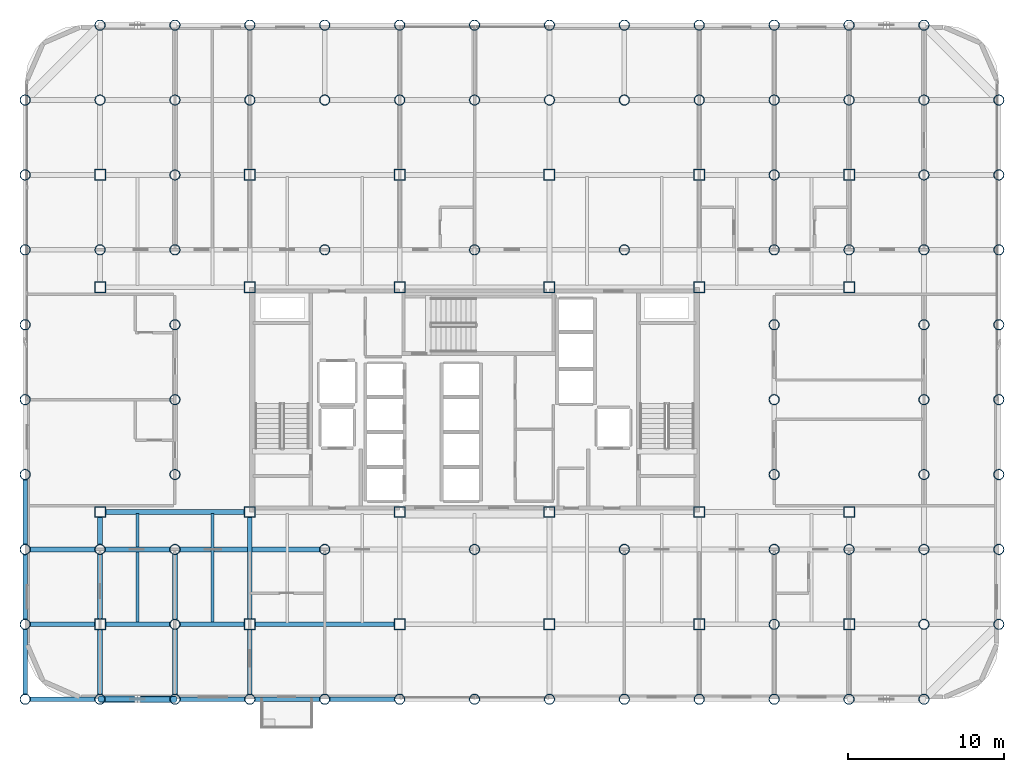
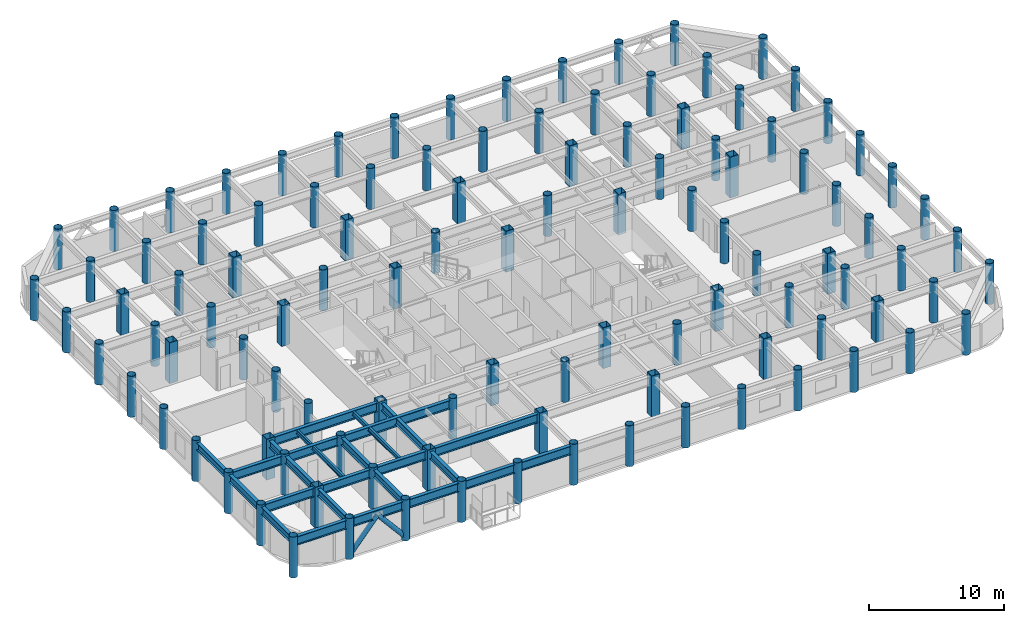
# One storey, part 1 of 22: 108 columns, 25 beams, 2 members.
"""IFC4 building model written with IfcOpenShell, lengths in metres."""

from ifc_helpers import new_model, si_unit, direction, frame, origin, origin_2d, place, context, subcontext, project, spatial, hollow_rectangle, hollow_circle, i_section, extrude, material, material_profile, profile_set, type_object, element, save


model = new_model("IFC4")

# Units and contexts
model_context = context("Model", 3, precision=1e-05, world=origin(), true_north=direction((0.0, 1.0)))
body_context = subcontext(model_context, "Body", "Model", "MODEL_VIEW")
ifc_project = project(units=[si_unit("LENGTHUNIT", "METRE"), si_unit("AREAUNIT", "SQUARE_METRE"), si_unit("VOLUMEUNIT", "CUBIC_METRE"), si_unit("PLANEANGLEUNIT", "RADIAN"), si_unit("MASSUNIT", "GRAM", prefix="KILO")], contexts=[model_context])

# Site, building, storey
site_placement = place(None, origin())
site = spatial("IfcSite", under=ifc_project, at=site_placement, CompositionType="ELEMENT")
building_placement = place(site_placement, origin())
building = spatial("IfcBuilding", under=site, at=building_placement, Name="Kallvorn Hotel Tower", CompositionType="ELEMENT")
storey_placement = place(building_placement, frame((0.0, 0.0, 102.60009765625)))
storey = spatial("IfcBuildingStorey", under=building, at=storey_placement, Name="L24", CompositionType="ELEMENT", Elevation=102.60009765625)

# Columns
ifc_material_1 = material(Name="Structural steel S355J2H", Category="steel")
ifc_material_profile_1 = material_profile(ifc_material_1, hollow_circle(Radius=0.330078125, WallThickness=0.028076171875, at=origin_2d()), Name="CHS 660x28")
ifc_profile_set_1 = profile_set([ifc_material_profile_1], Name="Structural steel S355J2H")
column_type_1 = type_object("IfcColumnType", Name="COL_CHS_660", PredefinedType="COLUMN", material=ifc_profile_set_1)
for number, where, z_axis, x_axis, name in (
    (1, (-28.800048828125, -19.199951171875, 0.0), (0.0, 0.0, 1.0), (1.0, 0.0, 0.0), "L24 Exoskeleton Column EC01"),
    (2, (-28.800048828125, -14.39990234375, 0.0), (0.0, 0.0, 1.0), (1.0, 0.0, 0.0), "L24 Exoskeleton Column EC02"),
    (3, (-28.800048828125, -9.60009765625, 0.0), (0.0, 0.0, 1.0), (1.0, 0.0, 0.0), "L24 Exoskeleton Column EC03"),
    (4, (-28.800048828125, -4.800048828125, 0.0), (0.0, 0.0, 1.0), (1.0, 0.0, 0.0), "L24 Exoskeleton Column EC04"),
    (5, (-28.800048828125, 0.0, 0.0), (0.0, 0.0, 1.0), (1.0, 0.0, 0.0), "L24 Exoskeleton Column EC05"),
    (6, (-28.800048828125, 4.800048828125, 0.0), (0.0, 0.0, 1.0), (1.0, 0.0, 0.0), "L24 Exoskeleton Column EC06"),
    (7, (-28.800048828125, 9.60009765625, 0.0), (0.0, 0.0, 1.0), (1.0, 0.0, 0.0), "L24 Exoskeleton Column EC07"),
    (8, (-28.800048828125, 14.39990234375, 0.0), (0.0, 0.0, 1.0), (1.0, 0.0, 0.0), "L24 Exoskeleton Column EC08"),
    (9, (-28.800048828125, 19.199951171875, 0.0), (0.0, 0.0, 1.0), (1.0, 0.0, 0.0), "L24 Exoskeleton Column EC09"),
    (10, (-24.0, -19.199951171875, 0.0), (0.0, 0.0, 1.0), (1.0, 0.0, 0.0), "L24 Exoskeleton Column EC10"),
    (11, (-24.0, -9.60009765625, 0.0), (0.0, 0.0, 1.0), (1.0, 0.0, 0.0), "L24 Exoskeleton Column EC11"),
    (12, (-24.0, 9.60009765625, 0.0), (0.0, 0.0, 1.0), (1.0, 0.0, 0.0), "L24 Exoskeleton Column EC12"),
    (13, (-24.0, 19.199951171875, 0.0), (0.0, 0.0, 1.0), (1.0, 0.0, 0.0), "L24 Exoskeleton Column EC13"),
    (14, (-24.0, 24.0, 0.0), (0.0, 0.0, 1.0), (1.0, 0.0, 0.0), "L24 Exoskeleton Column EC14"),
    (15, (-19.199951171875, -19.199951171875, 0.0), (0.0, 0.0, 1.0), (1.0, 0.0, 0.0), "L24 Exoskeleton Column EC15"),
    (16, (-19.199951171875, -14.39990234375, 0.0), (0.0, 0.0, 1.0), (1.0, 0.0, 0.0), "L24 Exoskeleton Column EC16"),
    (17, (-19.199951171875, -9.60009765625, 0.0), (0.0, 0.0, 1.0), (1.0, 0.0, 0.0), "L24 Exoskeleton Column EC17"),
    (18, (-19.199951171875, -4.800048828125, 0.0), (0.0, 0.0, 1.0), (1.0, 0.0, 0.0), "L24 Exoskeleton Column EC18"),
    (19, (-19.199951171875, 0.0, 0.0), (0.0, 0.0, 1.0), (1.0, 0.0, 0.0), "L24 Exoskeleton Column EC19"),
    (20, (-19.199951171875, 4.800048828125, 0.0), (0.0, 0.0, 1.0), (1.0, 0.0, 0.0), "L24 Exoskeleton Column EC20"),
    (21, (-19.199951171875, 9.60009765625, 0.0), (0.0, 0.0, 1.0), (1.0, 0.0, 0.0), "L24 Exoskeleton Column EC21"),
    (22, (-19.199951171875, 14.39990234375, 0.0), (0.0, 0.0, 1.0), (1.0, 0.0, 0.0), "L24 Exoskeleton Column EC22"),
    (23, (-19.199951171875, 19.199951171875, 0.0), (0.0, 0.0, 1.0), (1.0, 0.0, 0.0), "L24 Exoskeleton Column EC23"),
    (24, (-19.199951171875, 24.0, 0.0), (0.0, 0.0, 1.0), (1.0, 0.0, 0.0), "L24 Exoskeleton Column EC24"),
    (25, (-14.39990234375, -19.199951171875, 0.0), (0.0, 0.0, 1.0), (1.0, 0.0, 0.0), "L24 Exoskeleton Column EC25"),
    (26, (-14.39990234375, 19.199951171875, 0.0), (0.0, 0.0, 1.0), (1.0, 0.0, 0.0), "L24 Exoskeleton Column EC26"),
    (27, (-14.39990234375, 24.0, 0.0), (0.0, 0.0, 1.0), (1.0, 0.0, 0.0), "L24 Exoskeleton Column EC27"),
    (28, (-9.60009765625, -19.199951171875, 0.0), (0.0, 0.0, 1.0), (1.0, 0.0, 0.0), "L24 Exoskeleton Column EC28"),
    (29, (-9.60009765625, -9.60009765625, 0.0), (0.0, 0.0, 1.0), (1.0, 0.0, 0.0), "L24 Exoskeleton Column EC29"),
    (30, (-9.60009765625, 9.60009765625, 0.0), (0.0, 0.0, 1.0), (1.0, 0.0, 0.0), "L24 Exoskeleton Column EC30"),
    (31, (-9.60009765625, 19.199951171875, 0.0), (0.0, 0.0, 1.0), (1.0, 0.0, 0.0), "L24 Exoskeleton Column EC31"),
    (32, (-9.60009765625, 24.0, 0.0), (0.0, 0.0, 1.0), (1.0, 0.0, 0.0), "L24 Exoskeleton Column EC32"),
    (33, (-4.800048828125, -19.199951171875, 0.0), (0.0, 0.0, 1.0), (1.0, 0.0, 0.0), "L24 Exoskeleton Column EC33"),
    (34, (-4.800048828125, 19.199951171875, 0.0), (0.0, 0.0, 1.0), (1.0, 0.0, 0.0), "L24 Exoskeleton Column EC34"),
    (35, (-4.800048828125, 24.0, 0.0), (0.0, 0.0, 1.0), (1.0, 0.0, 0.0), "L24 Exoskeleton Column EC35"),
    (36, (0.0, -19.199951171875, 0.0), (0.0, 0.0, 1.0), (1.0, 0.0, 0.0), "L24 Exoskeleton Column EC36"),
    (37, (0.0, -9.60009765625, 0.0), (0.0, 0.0, 1.0), (1.0, 0.0, 0.0), "L24 Exoskeleton Column EC37"),
    (38, (0.0, 9.60009765625, 0.0), (0.0, 0.0, 1.0), (1.0, 0.0, 0.0), "L24 Exoskeleton Column EC38"),
    (39, (0.0, 19.199951171875, 0.0), (0.0, 0.0, 1.0), (1.0, 0.0, 0.0), "L24 Exoskeleton Column EC39"),
    (40, (0.0, 24.0, 0.0), (0.0, 0.0, 1.0), (1.0, 0.0, 0.0), "L24 Exoskeleton Column EC40"),
    (41, (4.800048828125, -19.199951171875, 0.0), (0.0, 0.0, 1.0), (1.0, 0.0, 0.0), "L24 Exoskeleton Column EC41"),
    (42, (4.800048828125, 19.199951171875, 0.0), (0.0, 0.0, 1.0), (1.0, 0.0, 0.0), "L24 Exoskeleton Column EC42"),
    (43, (4.800048828125, 24.0, 0.0), (0.0, 0.0, 1.0), (1.0, 0.0, 0.0), "L24 Exoskeleton Column EC43"),
    (44, (9.60009765625, -19.199951171875, 0.0), (0.0, 0.0, 1.0), (1.0, 0.0, 0.0), "L24 Exoskeleton Column EC44"),
    (45, (9.60009765625, -9.60009765625, 0.0), (0.0, 0.0, 1.0), (1.0, 0.0, 0.0), "L24 Exoskeleton Column EC45"),
    (46, (9.60009765625, 9.60009765625, 0.0), (0.0, 0.0, 1.0), (1.0, 0.0, 0.0), "L24 Exoskeleton Column EC46"),
    (47, (9.60009765625, 19.199951171875, 0.0), (0.0, 0.0, 1.0), (1.0, 0.0, 0.0), "L24 Exoskeleton Column EC47"),
    (48, (9.60009765625, 24.0, 0.0), (0.0, 0.0, 1.0), (1.0, 0.0, 0.0), "L24 Exoskeleton Column EC48"),
    (49, (14.39990234375, -19.199951171875, 0.0), (0.0, 0.0, 1.0), (1.0, 0.0, 0.0), "L24 Exoskeleton Column EC49"),
    (50, (14.39990234375, 19.199951171875, 0.0), (0.0, 0.0, 1.0), (1.0, 0.0, 0.0), "L24 Exoskeleton Column EC50"),
    (51, (14.39990234375, 24.0, 0.0), (0.0, 0.0, 1.0), (1.0, 0.0, 0.0), "L24 Exoskeleton Column EC51"),
    (52, (19.199951171875, -19.199951171875, 0.0), (0.0, 0.0, 1.0), (1.0, 0.0, 0.0), "L24 Exoskeleton Column EC52"),
    (53, (19.199951171875, -14.39990234375, 0.0), (0.0, 0.0, 1.0), (1.0, 0.0, 0.0), "L24 Exoskeleton Column EC53"),
    (54, (19.199951171875, -9.60009765625, 0.0), (0.0, 0.0, 1.0), (1.0, 0.0, 0.0), "L24 Exoskeleton Column EC54"),
    (55, (19.199951171875, -4.800048828125, 0.0), (0.0, 0.0, 1.0), (1.0, 0.0, 0.0), "L24 Exoskeleton Column EC55"),
    (56, (19.199951171875, 0.0, 0.0), (0.0, 0.0, 1.0), (1.0, 0.0, 0.0), "L24 Exoskeleton Column EC56"),
    (57, (19.199951171875, 4.800048828125, 0.0), (0.0, 0.0, 1.0), (1.0, 0.0, 0.0), "L24 Exoskeleton Column EC57"),
    (58, (19.199951171875, 9.60009765625, 0.0), (0.0, 0.0, 1.0), (1.0, 0.0, 0.0), "L24 Exoskeleton Column EC58"),
    (59, (19.199951171875, 14.39990234375, 0.0), (0.0, 0.0, 1.0), (1.0, 0.0, 0.0), "L24 Exoskeleton Column EC59"),
    (60, (19.199951171875, 19.199951171875, 0.0), (0.0, 0.0, 1.0), (1.0, 0.0, 0.0), "L24 Exoskeleton Column EC60"),
    (61, (19.199951171875, 24.0, 0.0), (0.0, 0.0, 1.0), (1.0, 0.0, 0.0), "L24 Exoskeleton Column EC61"),
    (62, (24.0, -19.199951171875, 0.0), (0.0, 0.0, 1.0), (1.0, 0.0, 0.0), "L24 Exoskeleton Column EC62"),
    (63, (24.0, -9.60009765625, 0.0), (0.0, 0.0, 1.0), (1.0, 0.0, 0.0), "L24 Exoskeleton Column EC63"),
    (64, (24.0, 9.60009765625, 0.0), (0.0, 0.0, 1.0), (1.0, 0.0, 0.0), "L24 Exoskeleton Column EC64"),
    (65, (24.0, 19.199951171875, 0.0), (0.0, 0.0, 1.0), (1.0, 0.0, 0.0), "L24 Exoskeleton Column EC65"),
    (66, (24.0, 24.0, 0.0), (0.0, 0.0, 1.0), (1.0, 0.0, 0.0), "L24 Exoskeleton Column EC66"),
    (67, (28.800048828125, -19.199951171875, 0.0), (0.0, 0.0, 1.0), (1.0, 0.0, 0.0), "L24 Exoskeleton Column EC67"),
    (68, (28.800048828125, -14.39990234375, 0.0), (0.0, 0.0, 1.0), (1.0, 0.0, 0.0), "L24 Exoskeleton Column EC68"),
    (69, (28.800048828125, -9.60009765625, 0.0), (0.0, 0.0, 1.0), (1.0, 0.0, 0.0), "L24 Exoskeleton Column EC69"),
    (70, (28.800048828125, -4.800048828125, 0.0), (0.0, 0.0, 1.0), (1.0, 0.0, 0.0), "L24 Exoskeleton Column EC70"),
    (71, (28.800048828125, 0.0, 0.0), (0.0, 0.0, 1.0), (1.0, 0.0, 0.0), "L24 Exoskeleton Column EC71"),
    (72, (28.800048828125, 4.800048828125, 0.0), (0.0, 0.0, 1.0), (1.0, 0.0, 0.0), "L24 Exoskeleton Column EC72"),
    (73, (28.800048828125, 9.60009765625, 0.0), (0.0, 0.0, 1.0), (1.0, 0.0, 0.0), "L24 Exoskeleton Column EC73"),
    (74, (28.800048828125, 14.39990234375, 0.0), (0.0, 0.0, 1.0), (1.0, 0.0, 0.0), "L24 Exoskeleton Column EC74"),
    (75, (28.800048828125, 19.199951171875, 0.0), (0.0, 0.0, 1.0), (1.0, 0.0, 0.0), "L24 Exoskeleton Column EC75"),
    (76, (28.800048828125, 24.0, 0.0), (0.0, 0.0, 1.0), (1.0, 0.0, 0.0), "L24 Exoskeleton Column EC76"),
    (77, (33.60009765625, -14.39990234375, 0.0), (0.0, 0.0, 1.0), (1.0, 0.0, 0.0), "L24 Exoskeleton Column EC77"),
    (78, (33.60009765625, -9.60009765625, 0.0), (0.0, 0.0, 1.0), (1.0, 0.0, 0.0), "L24 Exoskeleton Column EC78"),
    (79, (33.60009765625, -4.800048828125, 0.0), (0.0, 0.0, 1.0), (1.0, 0.0, 0.0), "L24 Exoskeleton Column EC79"),
    (80, (33.60009765625, 0.0, 0.0), (0.0, 0.0, 1.0), (1.0, 0.0, 0.0), "L24 Exoskeleton Column EC80"),
    (81, (33.60009765625, 4.800048828125, 0.0), (0.0, 0.0, 1.0), (1.0, 0.0, 0.0), "L24 Exoskeleton Column EC81"),
    (82, (33.60009765625, 9.60009765625, 0.0), (0.0, 0.0, 1.0), (1.0, 0.0, 0.0), "L24 Exoskeleton Column EC82"),
    (83, (33.60009765625, 14.39990234375, 0.0), (0.0, 0.0, 1.0), (1.0, 0.0, 0.0), "L24 Exoskeleton Column EC83"),
    (84, (33.60009765625, 19.199951171875, 0.0), (0.0, 0.0, 1.0), (1.0, 0.0, 0.0), "L24 Exoskeleton Column EC84"),
):
    element("IfcColumn", number, at=place(storey_placement, frame(where, z_axis=z_axis, x_axis=x_axis)), inside=storey, type_object=column_type_1, Name=name, PredefinedType="COLUMN", context=body_context, shape_type="SweptSolid", body=[
        extrude(hollow_circle(Radius=0.330078125, WallThickness=0.028076171875, at=origin_2d()), origin(), (0.0, 0.0, 1.0), 3.699951171875),
    ])
ifc_material_2 = material(Name="Structural steel S355J2H", Category="steel")
ifc_material_profile_2 = material_profile(ifc_material_2, hollow_rectangle(XDim=0.699951171875, YDim=0.699951171875, WallThickness=0.031982421875, at=origin_2d()), Name="RHS 700x700x32")
ifc_profile_set_2 = profile_set([ifc_material_profile_2], Name="Structural steel S355J2H")
column_type_2 = type_object("IfcColumnType", Name="COL_RHS_700", PredefinedType="COLUMN", material=ifc_profile_set_2)
for number, where, z_axis, x_axis, name in (
    (85, (-24.0, -14.39990234375, 0.0), (0.0, 0.0, 1.0), (1.0, 0.0, 0.0), "L24 Inner Column IC01"),
    (86, (-24.0, -7.199951171875, 0.0), (0.0, 0.0, 1.0), (1.0, 0.0, 0.0), "L24 Inner Column IC02"),
    (87, (-24.0, 7.199951171875, 0.0), (0.0, 0.0, 1.0), (1.0, 0.0, 0.0), "L24 Inner Column IC03"),
    (88, (-24.0, 14.39990234375, 0.0), (0.0, 0.0, 1.0), (1.0, 0.0, 0.0), "L24 Inner Column IC04"),
    (89, (-14.39990234375, -14.39990234375, 0.0), (0.0, 0.0, 1.0), (1.0, 0.0, 0.0), "L24 Inner Column IC05"),
    (90, (-14.39990234375, -7.199951171875, 0.0), (0.0, 0.0, 1.0), (1.0, 0.0, 0.0), "L24 Inner Column IC06"),
    (91, (-14.39990234375, 7.199951171875, 0.0), (0.0, 0.0, 1.0), (1.0, 0.0, 0.0), "L24 Inner Column IC07"),
    (92, (-14.39990234375, 14.39990234375, 0.0), (0.0, 0.0, 1.0), (1.0, 0.0, 0.0), "L24 Inner Column IC08"),
    (93, (-4.800048828125, -14.39990234375, 0.0), (0.0, 0.0, 1.0), (1.0, 0.0, 0.0), "L24 Inner Column IC09"),
    (94, (-4.800048828125, -7.199951171875, 0.0), (0.0, 0.0, 1.0), (1.0, 0.0, 0.0), "L24 Inner Column IC10"),
    (95, (-4.800048828125, 7.199951171875, 0.0), (0.0, 0.0, 1.0), (1.0, 0.0, 0.0), "L24 Inner Column IC11"),
    (96, (-4.800048828125, 14.39990234375, 0.0), (0.0, 0.0, 1.0), (1.0, 0.0, 0.0), "L24 Inner Column IC12"),
    (97, (4.800048828125, -14.39990234375, 0.0), (0.0, 0.0, 1.0), (1.0, 0.0, 0.0), "L24 Inner Column IC13"),
    (98, (4.800048828125, -7.199951171875, 0.0), (0.0, 0.0, 1.0), (1.0, 0.0, 0.0), "L24 Inner Column IC14"),
    (99, (4.800048828125, 7.199951171875, 0.0), (0.0, 0.0, 1.0), (1.0, 0.0, 0.0), "L24 Inner Column IC15"),
    (100, (4.800048828125, 14.39990234375, 0.0), (0.0, 0.0, 1.0), (1.0, 0.0, 0.0), "L24 Inner Column IC16"),
    (101, (14.39990234375, -14.39990234375, 0.0), (0.0, 0.0, 1.0), (1.0, 0.0, 0.0), "L24 Inner Column IC17"),
    (102, (14.39990234375, -7.199951171875, 0.0), (0.0, 0.0, 1.0), (1.0, 0.0, 0.0), "L24 Inner Column IC18"),
    (103, (14.39990234375, 7.199951171875, 0.0), (0.0, 0.0, 1.0), (1.0, 0.0, 0.0), "L24 Inner Column IC19"),
    (104, (14.39990234375, 14.39990234375, 0.0), (0.0, 0.0, 1.0), (1.0, 0.0, 0.0), "L24 Inner Column IC20"),
    (105, (24.0, -14.39990234375, 0.0), (0.0, 0.0, 1.0), (1.0, 0.0, 0.0), "L24 Inner Column IC21"),
    (106, (24.0, -7.199951171875, 0.0), (0.0, 0.0, 1.0), (1.0, 0.0, 0.0), "L24 Inner Column IC22"),
    (107, (24.0, 7.199951171875, 0.0), (0.0, 0.0, 1.0), (1.0, 0.0, 0.0), "L24 Inner Column IC23"),
    (108, (24.0, 14.39990234375, 0.0), (0.0, 0.0, 1.0), (1.0, 0.0, 0.0), "L24 Inner Column IC24"),
):
    element("IfcColumn", number, at=place(storey_placement, frame(where, z_axis=z_axis, x_axis=x_axis)), inside=storey, type_object=column_type_2, Name=name, PredefinedType="COLUMN", context=body_context, shape_type="SweptSolid", body=[
        extrude(hollow_rectangle(XDim=0.699951171875, YDim=0.699951171875, WallThickness=0.031982421875, at=origin_2d()), origin(), (0.0, 0.0, 1.0), 3.699951171875),
    ])

# Beams
ifc_material_3 = material(Name="Structural steel S355JR", Category="steel")
ifc_material_profile_3 = material_profile(ifc_material_3, i_section(OverallWidth=0.300048828125, OverallDepth=0.64990234375, WebThickness=0.01611328125, FlangeThickness=0.031005859375, at=origin_2d()), Name="HE 650 B")
ifc_profile_set_3 = profile_set([ifc_material_profile_3], Name="Structural steel S355JR")
beam_type_1 = type_object("IfcBeamType", Name="BM_HE650B", PredefinedType="BEAM", material=ifc_profile_set_3)
for number, where, z_axis, x_axis, name in (
    (109, (-28.800048828125, -18.89501953125, 3.19482421875), (0.0, 1.0, 0.0), (-1.0, 0.0, 0.0), "L25 Primary Y-Girder 73"),
    (110, (-28.800048828125, -14.094970703125, 3.19482421875), (0.0, 1.0, 0.0), (-1.0, 0.0, 0.0), "L25 Primary Y-Girder 74"),
    (111, (-28.800048828125, -9.294921875, 3.19482421875), (0.0, 1.0, 0.0), (-1.0, 0.0, 0.0), "L25 Primary Y-Girder 75"),
):
    element("IfcBeam", number, at=place(storey_placement, frame(where, z_axis=z_axis, x_axis=x_axis)), inside=storey, type_object=beam_type_1, Name=name, PredefinedType="BEAM", context=body_context, shape_type="SweptSolid", body=[
        extrude(i_section(OverallWidth=0.300048828125, OverallDepth=0.64990234375, WebThickness=0.01611328125, FlangeThickness=0.031005859375, at=origin_2d()), origin(), (0.0, 0.0, 1.0), 4.18994140625),
    ])
for number, where, z_axis, x_axis, name in (
    (112, (-24.0, -18.89501953125, 3.19482421875), (0.0, 1.0, 0.0), (-1.0, 0.0, 0.0), "L25 Primary Y-Girder 81"),
    (113, (-24.0, -14.074951171875, 3.19482421875), (0.0, 1.0, 0.0), (-1.0, 0.0, 0.0), "L25 Primary Y-Girder 82"),
):
    element("IfcBeam", number, at=place(storey_placement, frame(where, z_axis=z_axis, x_axis=x_axis)), inside=storey, type_object=beam_type_1, Name=name, PredefinedType="BEAM", context=body_context, shape_type="SweptSolid", body=[
        extrude(i_section(OverallWidth=0.300048828125, OverallDepth=0.64990234375, WebThickness=0.01611328125, FlangeThickness=0.031005859375, at=origin_2d()), origin(), (0.0, 0.0, 1.0), 4.169921875),
    ])
beam_1_placement = place(storey_placement, frame((-24.0, -9.294921875, 3.19482421875), z_axis=(0.0, 1.0, 0.0), x_axis=(-1.0, 0.0, 0.0)))
element("IfcBeam", 114, at=beam_1_placement, inside=storey, type_object=beam_type_1, Name="L25 Primary Y-Girder 83", PredefinedType="BEAM", context=body_context, shape_type="SweptSolid", body=[
    extrude(i_section(OverallWidth=0.300048828125, OverallDepth=0.64990234375, WebThickness=0.01611328125, FlangeThickness=0.031005859375, at=origin_2d()), origin(), (0.0, 0.0, 1.0), 1.77001953125),
])
for number, where, z_axis, x_axis, name in (
    (115, (-19.199951171875, -18.89501953125, 3.19482421875), (0.0, 1.0, 0.0), (-1.0, 0.0, 0.0), "L25 Primary Y-Girder 88"),
    (116, (-19.199951171875, -14.094970703125, 3.19482421875), (0.0, 1.0, 0.0), (-1.0, 0.0, 0.0), "L25 Primary Y-Girder 89"),
):
    element("IfcBeam", number, at=place(storey_placement, frame(where, z_axis=z_axis, x_axis=x_axis)), inside=storey, type_object=beam_type_1, Name=name, PredefinedType="BEAM", context=body_context, shape_type="SweptSolid", body=[
        extrude(i_section(OverallWidth=0.300048828125, OverallDepth=0.64990234375, WebThickness=0.01611328125, FlangeThickness=0.031005859375, at=origin_2d()), origin(), (0.0, 0.0, 1.0), 4.18994140625),
    ])
beam_2_placement = place(storey_placement, frame((-14.39990234375, -18.89501953125, 3.19482421875), z_axis=(0.0, 1.0, 0.0), x_axis=(-1.0, 0.0, 0.0)))
element("IfcBeam", 117, at=beam_2_placement, inside=storey, type_object=beam_type_1, Name="L25 Primary Y-Girder 97", PredefinedType="BEAM", context=body_context, shape_type="SweptSolid", body=[
    extrude(i_section(OverallWidth=0.300048828125, OverallDepth=0.64990234375, WebThickness=0.01611328125, FlangeThickness=0.031005859375, at=origin_2d()), origin(), (0.0, 0.0, 1.0), 4.169921875),
])
beam_3_placement = place(storey_placement, frame((-14.39990234375, -14.074951171875, 3.19482421875), z_axis=(0.0, 1.0, 0.0), x_axis=(-1.0, 0.0, 0.0)))
element("IfcBeam", 118, at=beam_3_placement, inside=storey, type_object=beam_type_1, Name="L25 Primary Y-Girder 98", PredefinedType="BEAM", context=body_context, shape_type="SweptSolid", body=[
    extrude(i_section(OverallWidth=0.300048828125, OverallDepth=0.64990234375, WebThickness=0.01611328125, FlangeThickness=0.031005859375, at=origin_2d()), origin(), (0.0, 0.0, 1.0), 6.550048828125),
])
ifc_material_4 = material(Name="Structural steel S355JR", Category="steel")
ifc_material_profile_4 = material_profile(ifc_material_4, i_section(OverallWidth=0.300048828125, OverallDepth=0.800048828125, WebThickness=0.017578125, FlangeThickness=0.032958984375, at=origin_2d()), Name="HE 800 B")
ifc_profile_set_4 = profile_set([ifc_material_profile_4], Name="Structural steel S355JR")
beam_type_2 = type_object("IfcBeamType", Name="BM_HE800B", PredefinedType="BEAM", material=ifc_profile_set_4)
for number, where, z_axis, x_axis, name in (
    (119, (-28.4951171875, -19.199951171875, 3.119873046875), (1.0, 0.0, 0.0), (0.0, 1.0, 0.0), "L25 Primary X-Girder 01"),
    (120, (-23.695068359375, -19.199951171875, 3.119873046875), (1.0, 0.0, 0.0), (0.0, 1.0, 0.0), "L25 Primary X-Girder 02"),
):
    element("IfcBeam", number, at=place(storey_placement, frame(where, z_axis=z_axis, x_axis=x_axis)), inside=storey, type_object=beam_type_2, Name=name, PredefinedType="BEAM", context=body_context, shape_type="SweptSolid", body=[
        extrude(i_section(OverallWidth=0.300048828125, OverallDepth=0.800048828125, WebThickness=0.017578125, FlangeThickness=0.032958984375, at=origin_2d()), origin(), (0.0, 0.0, 1.0), 4.190185546875),
    ])
for number, where, z_axis, x_axis, name in (
    (121, (-18.89501953125, -19.199951171875, 3.119873046875), (1.0, 0.0, 0.0), (0.0, 1.0, 0.0), "L25 Primary X-Girder 03"),
    (122, (-14.094970703125, -19.199951171875, 3.119873046875), (1.0, 0.0, 0.0), (0.0, 1.0, 0.0), "L25 Primary X-Girder 04"),
    (123, (-9.294921875, -19.199951171875, 3.119873046875), (1.0, 0.0, 0.0), (0.0, 1.0, 0.0), "L25 Primary X-Girder 05"),
):
    element("IfcBeam", number, at=place(storey_placement, frame(where, z_axis=z_axis, x_axis=x_axis)), inside=storey, type_object=beam_type_2, Name=name, PredefinedType="BEAM", context=body_context, shape_type="SweptSolid", body=[
        extrude(i_section(OverallWidth=0.300048828125, OverallDepth=0.800048828125, WebThickness=0.017578125, FlangeThickness=0.032958984375, at=origin_2d()), origin(), (0.0, 0.0, 1.0), 4.18994140625),
    ])
for number, where, z_axis, x_axis, name in (
    (124, (-28.4951171875, -14.39990234375, 3.119873046875), (1.0, 0.0, 0.0), (0.0, 1.0, 0.0), "L25 Primary X-Girder 13"),
    (125, (-23.675048828125, -14.39990234375, 3.119873046875), (1.0, 0.0, 0.0), (0.0, 1.0, 0.0), "L25 Primary X-Girder 14"),
):
    element("IfcBeam", number, at=place(storey_placement, frame(where, z_axis=z_axis, x_axis=x_axis)), inside=storey, type_object=beam_type_2, Name=name, PredefinedType="BEAM", context=body_context, shape_type="SweptSolid", body=[
        extrude(i_section(OverallWidth=0.300048828125, OverallDepth=0.800048828125, WebThickness=0.017578125, FlangeThickness=0.032958984375, at=origin_2d()), origin(), (0.0, 0.0, 1.0), 4.170166015625),
    ])
beam_4_placement = place(storey_placement, frame((-18.89501953125, -14.39990234375, 3.119873046875), z_axis=(1.0, 0.0, 0.0), x_axis=(0.0, 1.0, 0.0)))
element("IfcBeam", 126, at=beam_4_placement, inside=storey, type_object=beam_type_2, Name="L25 Primary X-Girder 15", PredefinedType="BEAM", context=body_context, shape_type="SweptSolid", body=[
    extrude(i_section(OverallWidth=0.300048828125, OverallDepth=0.800048828125, WebThickness=0.017578125, FlangeThickness=0.032958984375, at=origin_2d()), origin(), (0.0, 0.0, 1.0), 4.169921875),
])
beam_5_placement = place(storey_placement, frame((-14.074951171875, -14.39990234375, 3.119873046875), z_axis=(1.0, 0.0, 0.0), x_axis=(0.0, 1.0, 0.0)))
element("IfcBeam", 127, at=beam_5_placement, inside=storey, type_object=beam_type_2, Name="L25 Primary X-Girder 16", PredefinedType="BEAM", context=body_context, shape_type="SweptSolid", body=[
    extrude(i_section(OverallWidth=0.300048828125, OverallDepth=0.800048828125, WebThickness=0.017578125, FlangeThickness=0.032958984375, at=origin_2d()), origin(), (0.0, 0.0, 1.0), 8.949951171875),
])
for number, where, z_axis, x_axis, name in (
    (128, (-28.4951171875, -9.60009765625, 3.119873046875), (1.0, 0.0, 0.0), (0.0, 1.0, 0.0), "L25 Primary X-Girder 23"),
    (129, (-23.695068359375, -9.60009765625, 3.119873046875), (1.0, 0.0, 0.0), (0.0, 1.0, 0.0), "L25 Primary X-Girder 24"),
):
    element("IfcBeam", number, at=place(storey_placement, frame(where, z_axis=z_axis, x_axis=x_axis)), inside=storey, type_object=beam_type_2, Name=name, PredefinedType="BEAM", context=body_context, shape_type="SweptSolid", body=[
        extrude(i_section(OverallWidth=0.300048828125, OverallDepth=0.800048828125, WebThickness=0.017578125, FlangeThickness=0.032958984375, at=origin_2d()), origin(), (0.0, 0.0, 1.0), 4.190185546875),
    ])
beam_6_placement = place(storey_placement, frame((-18.89501953125, -9.60009765625, 3.119873046875), z_axis=(1.0, 0.0, 0.0), x_axis=(0.0, 1.0, 0.0)))
element("IfcBeam", 130, at=beam_6_placement, inside=storey, type_object=beam_type_2, Name="L25 Primary X-Girder 25", PredefinedType="BEAM", context=body_context, shape_type="SweptSolid", body=[
    extrude(i_section(OverallWidth=0.300048828125, OverallDepth=0.800048828125, WebThickness=0.017578125, FlangeThickness=0.032958984375, at=origin_2d()), origin(), (0.0, 0.0, 1.0), 8.989990234375),
])
beam_7_placement = place(storey_placement, frame((-23.675048828125, -7.199951171875, 3.119873046875), z_axis=(1.0, 0.0, 0.0), x_axis=(0.0, 1.0, 0.0)))
element("IfcBeam", 131, at=beam_7_placement, inside=storey, type_object=beam_type_2, Name="L25 Primary X-Girder 32", PredefinedType="BEAM", context=body_context, shape_type="SweptSolid", body=[
    extrude(i_section(OverallWidth=0.300048828125, OverallDepth=0.800048828125, WebThickness=0.017578125, FlangeThickness=0.032958984375, at=origin_2d()), origin(), (0.0, 0.0, 1.0), 8.949951171875),
])
ifc_material_5 = material(Name="Structural steel S355JR", Category="steel")
ifc_material_profile_5 = material_profile(ifc_material_5, i_section(OverallWidth=0.179931640625, OverallDepth=0.39990234375, WebThickness=0.008544921875, FlangeThickness=0.013427734375, at=origin_2d()), Name="IPE 400")
ifc_profile_set_5 = profile_set([ifc_material_profile_5], Name="Structural steel S355JR")
beam_type_3 = type_object("IfcBeamType", Name="BM_IPE400", PredefinedType="JOIST", material=ifc_profile_set_5)
for number, where, z_axis, x_axis, name in (
    (132, (-21.60009765625, -14.300048828125, 3.31982421875), (0.0, 1.0, 0.0), (-1.0, 0.0, 0.0), "L25 Secondary Composite Joist 192"),
    (133, (-16.800048828125, -14.300048828125, 3.31982421875), (0.0, 1.0, 0.0), (-1.0, 0.0, 0.0), "L25 Secondary Composite Joist 194"),
):
    element("IfcBeam", number, at=place(storey_placement, frame(where, z_axis=z_axis, x_axis=x_axis)), inside=storey, type_object=beam_type_3, Name=name, PredefinedType="JOIST", context=body_context, shape_type="SweptSolid", body=[
        extrude(i_section(OverallWidth=0.179931640625, OverallDepth=0.39990234375, WebThickness=0.008544921875, FlangeThickness=0.013427734375, at=origin_2d()), origin(), (0.0, 0.0, 1.0), 7.0),
    ])

# Members
ifc_material_6 = material(Name="Structural steel S355J2H", Category="steel")
ifc_material_profile_6 = material_profile(ifc_material_6, hollow_circle(Radius=0.203125, WallThickness=0.01611328125, at=origin_2d()), Name="CHS 406.4x16")
ifc_profile_set_6 = profile_set([ifc_material_profile_6], Name="Structural steel S355J2H")
member_type = type_object("IfcMemberType", Name="MBR_EXO_CHS406", PredefinedType="BRACE", material=ifc_profile_set_6)
for number, where, z_axis, x_axis, name in (
    (134, (-23.987060546875, -19.199951171875, 0.1953125), (0.646833296797, 0.0, 0.762631422218), (0.0, 1.0, 0.0), "L24 Exoskeleton K-Brace S1A"),
    (135, (-19.212890625, -19.199951171875, 0.1953125), (-0.646833296797, 0.0, 0.762631422218), (0.0, -1.0, 0.0), "L24 Exoskeleton K-Brace S1B"),
):
    element("IfcMember", number, at=place(storey_placement, frame(where, z_axis=z_axis, x_axis=x_axis)), inside=storey, type_object=member_type, Name=name, PredefinedType="BRACE", context=body_context, shape_type="SweptSolid", body=[
        extrude(hollow_circle(Radius=0.203125, WallThickness=0.01611328125, at=origin_2d()), origin(), (0.0, 0.0, 1.0), 3.670654296875),
    ])

save(model, "model.ifc")
